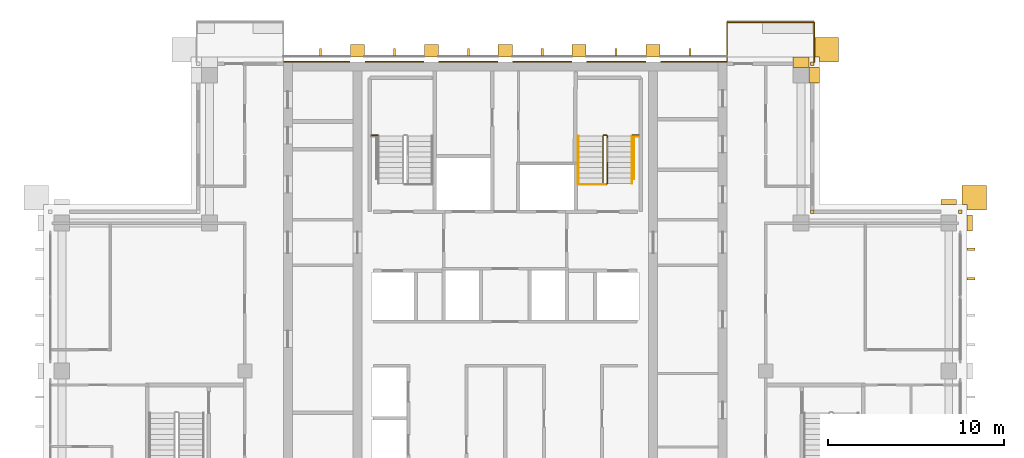
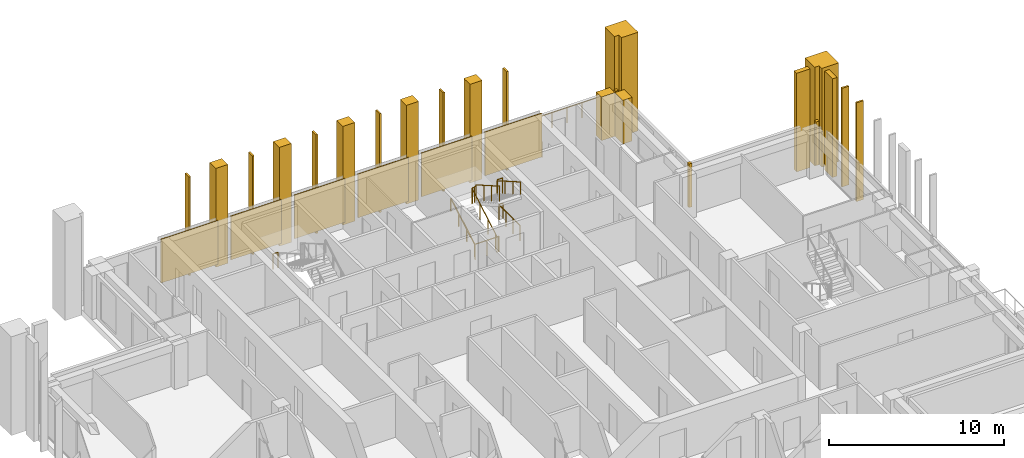
# One storey, part 18 of 18: 28 coverings, 8 railings.
"""IFC4 building model written with IfcOpenShell, lengths in metres."""

from ifc_helpers import new_model, si_unit, direction, frame, origin, origin_2d, place, context, subcontext, project, spatial, polyline, rectangle, outline, extrude, material, layer, layer_set, type_object, element, save


model = new_model("IFC4")

# Units and contexts
model_context = context("Model", 3, precision=1e-05, world=origin(), true_north=direction((0.0, 1.0)))
body_context = subcontext(model_context, "Body", "Model", "MODEL_VIEW")
ifc_project = project(units=[si_unit("LENGTHUNIT", "METRE"), si_unit("AREAUNIT", "SQUARE_METRE"), si_unit("VOLUMEUNIT", "CUBIC_METRE"), si_unit("PLANEANGLEUNIT", "RADIAN"), si_unit("MASSUNIT", "GRAM", prefix="KILO")], contexts=[model_context])

# Site, building, storey
site_placement = place(None, origin())
site = spatial("IfcSite", under=ifc_project, at=site_placement, CompositionType="ELEMENT")
building_placement = place(site_placement, origin())
building = spatial("IfcBuilding", under=site, at=building_placement, Name="Vermilion Ogive Tower", CompositionType="ELEMENT")
storey_placement = place(building_placement, frame((0.0, 0.0, 254.5)))
storey = spatial("IfcBuildingStorey", under=building, at=storey_placement, Name="L67", CompositionType="ELEMENT", Elevation=254.5)

# Railing
ifc_material_1 = material(Name="Stainless steel and glass", Category="steel")
railing_type_1 = type_object("IfcRailingType", Name="Balcony guard", PredefinedType="GUARDRAIL", material=ifc_material_1)
railing_1_placement = place(storey_placement, frame((17.550048828125, 21.75, -0.0400390625)))
element("IfcRailing", 1, at=railing_1_placement, inside=storey, type_object=railing_type_1, Name="Guard N101", PredefinedType="GUARDRAIL", context=body_context, shape_type="SweptSolid", body=[
    extrude(rectangle(XDim=0.048095703125, YDim=0.048095703125, at=origin_2d()), frame((0.0, 0.0, 1.076171875), z_axis=(0.0, 1.0, 0.0), x_axis=(-1.0, 0.0, 0.0)), (0.0, 0.0, 1.0), 2.270751953125),
    extrude(rectangle(XDim=0.048095703125, YDim=0.048095703125, at=origin_2d()), frame((0.0, 2.270751953125, 1.076171875), z_axis=(-1.0, 0.0, 0.0), x_axis=(0.0, -1.0, 0.0)), (0.0, 0.0, 1.0), 4.949951171875),
    extrude(rectangle(XDim=0.048095703125, YDim=0.048095703125, at=origin_2d()), frame((-4.949951171875, 2.270751953125, 1.076171875), z_axis=(0.0, -1.0, 0.0), x_axis=(1.0, 0.0, 0.0)), (0.0, 0.0, 1.0), 2.270751953125),
    extrude(rectangle(XDim=0.0419921875, YDim=0.0419921875, at=origin_2d()), origin(), (0.0, 0.0, 1.0), 1.052001953125),
    extrude(rectangle(XDim=0.0419921875, YDim=0.0419921875, at=origin_2d()), frame((0.0, 1.13525390625, 0.0)), (0.0, 0.0, 1.0), 1.052001953125),
    extrude(rectangle(XDim=0.0419921875, YDim=0.0419921875, at=origin_2d()), frame((0.0, 2.270751953125, 0.0)), (0.0, 0.0, 1.0), 1.052001953125),
    extrude(rectangle(XDim=0.0419921875, YDim=0.0419921875, at=origin_2d()), frame((-0.989990234375, 2.270751953125, 0.0)), (0.0, 0.0, 1.0), 1.052001953125),
    extrude(rectangle(XDim=0.0419921875, YDim=0.0419921875, at=origin_2d()), frame((-1.97998046875, 2.270751953125, 0.0)), (0.0, 0.0, 1.0), 1.052001953125),
    extrude(rectangle(XDim=0.0419921875, YDim=0.0419921875, at=origin_2d()), frame((-2.969970703125, 2.270751953125, 0.0)), (0.0, 0.0, 1.0), 1.052001953125),
    extrude(rectangle(XDim=0.0419921875, YDim=0.0419921875, at=origin_2d()), frame((-3.9599609375, 2.270751953125, 0.0)), (0.0, 0.0, 1.0), 1.052001953125),
    extrude(rectangle(XDim=0.0419921875, YDim=0.0419921875, at=origin_2d()), frame((-4.949951171875, 2.270751953125, 0.0)), (0.0, 0.0, 1.0), 1.052001953125),
    extrude(rectangle(XDim=0.0419921875, YDim=0.0419921875, at=origin_2d()), frame((-4.949951171875, 1.13525390625, 0.0)), (0.0, 0.0, 1.0), 1.052001953125),
    extrude(rectangle(XDim=0.0419921875, YDim=0.0419921875, at=origin_2d()), frame((-4.949951171875, 0.0, 0.0)), (0.0, 0.0, 1.0), 1.052001953125),
])

# Coverings
ifc_material_2 = material(Name="Glazed ceramic screen")
ifc_layer = layer(ifc_material_2, 0.14990234375)
ifc_layer_set = layer_set([ifc_layer], Name="Ceramic solar screen fin")
covering_type_1 = type_object("IfcCoveringType", Name="Ceramic solar screen fin", PredefinedType="CLADDING", material=ifc_layer_set)
covering_1_placement = place(storey_placement, frame((0.0, 0.0, -0.39990234375)))
element("IfcCovering", 2, at=covering_1_placement, inside=storey, type_object=covering_type_1, Name="Solar screen blade E021", PredefinedType="CLADDING", context=body_context, shape_type="SweptSolid", body=[
    extrude(outline(polyline([(26.699951171875, 9.37744140625), (26.699951171875, 9.49755859375), (26.25, 9.49755859375), (26.25, 9.37744140625), (26.699951171875, 9.37744140625)])), origin(), (0.0, 0.0, 1.0), 6.89990234375),
])
covering_2_placement = place(storey_placement, frame((0.0, 0.0, -0.39990234375)))
element("IfcCovering", 3, at=covering_2_placement, inside=storey, type_object=covering_type_1, Name="Solar screen blade E022", PredefinedType="CLADDING", context=body_context, shape_type="SweptSolid", body=[
    extrude(outline(polyline([(26.699951171875, 11.052490234375), (26.699951171875, 11.172607421875), (26.25, 11.172607421875), (26.25, 11.052490234375), (26.699951171875, 11.052490234375)])), origin(), (0.0, 0.0, 1.0), 6.89990234375),
])
covering_3_placement = place(storey_placement, frame((0.0, 0.0, -0.39990234375)))
element("IfcCovering", 4, at=covering_3_placement, inside=storey, type_object=covering_type_1, Name="Solar screen blade N1", PredefinedType="CLADDING", context=body_context, shape_type="SweptSolid", body=[
    extrude(outline(polyline([(-10.56005859375, 22.08203125), (-10.43994140625, 22.08203125), (-10.43994140625, 22.531982421875), (-10.56005859375, 22.531982421875), (-10.56005859375, 22.08203125)])), origin(), (0.0, 0.0, 1.0), 6.89990234375),
])
covering_4_placement = place(storey_placement, frame((0.0, 0.0, -0.39990234375)))
element("IfcCovering", 5, at=covering_4_placement, inside=storey, type_object=covering_type_1, Name="Solar screen blade N2", PredefinedType="CLADDING", context=body_context, shape_type="SweptSolid", body=[
    extrude(outline(polyline([(-6.360107421875, 22.08203125), (-6.239990234375, 22.08203125), (-6.239990234375, 22.531982421875), (-6.360107421875, 22.531982421875), (-6.360107421875, 22.08203125)])), origin(), (0.0, 0.0, 1.0), 6.89990234375),
])
covering_5_placement = place(storey_placement, frame((0.0, 0.0, -0.39990234375)))
element("IfcCovering", 6, at=covering_5_placement, inside=storey, type_object=covering_type_1, Name="Solar screen blade N3", PredefinedType="CLADDING", context=body_context, shape_type="SweptSolid", body=[
    extrude(outline(polyline([(-2.159912109375, 22.08203125), (-2.0400390625, 22.08203125), (-2.0400390625, 22.531982421875), (-2.159912109375, 22.531982421875), (-2.159912109375, 22.08203125)])), origin(), (0.0, 0.0, 1.0), 6.89990234375),
])
covering_6_placement = place(storey_placement, frame((0.0, 0.0, -0.39990234375)))
element("IfcCovering", 7, at=covering_6_placement, inside=storey, type_object=covering_type_1, Name="Solar screen blade N4", PredefinedType="CLADDING", context=body_context, shape_type="SweptSolid", body=[
    extrude(outline(polyline([(2.0400390625, 22.08203125), (2.159912109375, 22.08203125), (2.159912109375, 22.531982421875), (2.0400390625, 22.531982421875), (2.0400390625, 22.08203125)])), origin(), (0.0, 0.0, 1.0), 6.89990234375),
])
covering_7_placement = place(storey_placement, frame((0.0, 0.0, -0.39990234375)))
element("IfcCovering", 8, at=covering_7_placement, inside=storey, type_object=covering_type_1, Name="Solar screen blade N5", PredefinedType="CLADDING", context=body_context, shape_type="SweptSolid", body=[
    extrude(outline(polyline([(6.239990234375, 22.08203125), (6.360107421875, 22.08203125), (6.360107421875, 22.531982421875), (6.239990234375, 22.531982421875), (6.239990234375, 22.08203125)])), origin(), (0.0, 0.0, 1.0), 6.89990234375),
])
covering_8_placement = place(storey_placement, frame((0.0, 0.0, -0.39990234375)))
element("IfcCovering", 9, at=covering_8_placement, inside=storey, type_object=covering_type_1, Name="Solar screen blade N6", PredefinedType="CLADDING", context=body_context, shape_type="SweptSolid", body=[
    extrude(outline(polyline([(10.43994140625, 22.08203125), (10.56005859375, 22.08203125), (10.56005859375, 22.531982421875), (10.43994140625, 22.531982421875), (10.43994140625, 22.08203125)])), origin(), (0.0, 0.0, 1.0), 6.89990234375),
])

# Railings
ifc_material_3 = material(Name="Steel S355 painted", Category="steel")
railing_type_2 = type_object("IfcRailingType", Name="Stair guard 1100", PredefinedType="GUARDRAIL", material=ifc_material_3)
railing_2_placement = place(storey_placement, frame((5.75, 14.800048828125, 0.0)))
element("IfcRailing", 10, at=railing_2_placement, inside=storey, type_object=railing_type_2, Name="L67 ST2 stair guard 4", PredefinedType="GUARDRAIL", context=body_context, shape_type="SweptSolid", body=[
    extrude(rectangle(XDim=0.048095703125, YDim=0.048095703125, at=origin_2d()), frame((0.0, 0.0, 1.076171875), z_axis=(-1.0, 0.0, 0.0), x_axis=(0.0, -1.0, 0.0)), (0.0, 0.0, 1.0), 0.14990234375),
    extrude(rectangle(XDim=0.048095703125, YDim=0.048095703125, at=origin_2d()), frame((-0.14990234375, 0.0, 1.076171875), z_axis=(-0.268277960024, 0.268277960024, 0.925231793839), x_axis=(-0.707106781187, -0.707106781187, 0.0)), (0.0, 0.0, 1.0), 0.1865234375),
    extrude(rectangle(XDim=0.048095703125, YDim=0.048095703125, at=origin_2d()), frame((-0.199951171875, 0.050048828125, 1.24853515625), z_axis=(0.0, 0.866903762492, 0.498475542607), x_axis=(-1.0, 0.0, 0.0)), (0.0, 0.0, 1.0), 3.114501953125),
    extrude(rectangle(XDim=0.048095703125, YDim=0.048095703125, at=origin_2d()), frame((-0.199951171875, 2.75, 2.80126953125), z_axis=(0.707106781187, 0.707106781187, 0.0), x_axis=(-0.707106781187, 0.707106781187, 0.0)), (0.0, 0.0, 1.0), 0.07080078125),
    extrude(rectangle(XDim=0.048095703125, YDim=0.048095703125, at=origin_2d()), frame((-0.14990234375, 2.800048828125, 2.80126953125), z_axis=(1.0, 0.0, 0.0), x_axis=(0.0, 1.0, 0.0)), (0.0, 0.0, 1.0), 0.14990234375),
    extrude(rectangle(XDim=0.048095703125, YDim=0.048095703125, at=origin_2d()), frame((0.0, 2.800048828125, 2.80126953125), z_axis=(0.268603158521, -0.268603158521, 0.925043072762), x_axis=(0.707106781187, 0.707106781187, 0.0)), (0.0, 0.0, 1.0), 0.186279296875),
    extrude(rectangle(XDim=0.048095703125, YDim=0.048095703125, at=origin_2d()), frame((0.050048828125, 2.75, 2.9736328125), z_axis=(0.0, -0.866903762492, 0.498475542607), x_axis=(1.0, 0.0, 0.0)), (0.0, 0.0, 1.0), 3.114501953125),
    extrude(rectangle(XDim=0.0419921875, YDim=0.0419921875, at=origin_2d()), origin(), (0.0, 0.0, 1.0), 1.052001953125),
    extrude(rectangle(XDim=0.0419921875, YDim=0.0419921875, at=origin_2d()), frame((-0.14990234375, 0.0, 0.0)), (0.0, 0.0, 1.0), 1.052001953125),
    extrude(rectangle(XDim=0.0419921875, YDim=0.0419921875, at=origin_2d()), frame((-0.199951171875, 0.050048828125, 0.172607421875)), (0.0, 0.0, 1.0), 1.052001953125),
    extrude(rectangle(XDim=0.0419921875, YDim=0.0419921875, at=origin_2d()), frame((-0.199951171875, 0.949951171875, 0.690185546875)), (0.0, 0.0, 1.0), 1.052001953125),
    extrude(rectangle(XDim=0.0419921875, YDim=0.0419921875, at=origin_2d()), frame((-0.199951171875, 1.85009765625, 1.20751953125)), (0.0, 0.0, 1.0), 1.052001953125),
    extrude(rectangle(XDim=0.0419921875, YDim=0.0419921875, at=origin_2d()), frame((-0.199951171875, 2.75, 1.72509765625)), (0.0, 0.0, 1.0), 1.052001953125),
    extrude(rectangle(XDim=0.0419921875, YDim=0.0419921875, at=origin_2d()), frame((-0.14990234375, 2.800048828125, 1.72509765625)), (0.0, 0.0, 1.0), 1.052001953125),
    extrude(rectangle(XDim=0.0419921875, YDim=0.0419921875, at=origin_2d()), frame((0.0, 2.800048828125, 1.72509765625)), (0.0, 0.0, 1.0), 1.052001953125),
    extrude(rectangle(XDim=0.0419921875, YDim=0.0419921875, at=origin_2d()), frame((0.050048828125, 2.75, 1.8974609375)), (0.0, 0.0, 1.0), 1.052001953125),
    extrude(rectangle(XDim=0.0419921875, YDim=0.0419921875, at=origin_2d()), frame((0.050048828125, 1.85009765625, 2.4150390625)), (0.0, 0.0, 1.0), 1.052001953125),
    extrude(rectangle(XDim=0.0419921875, YDim=0.0419921875, at=origin_2d()), frame((0.050048828125, 0.949951171875, 2.932373046875)), (0.0, 0.0, 1.0), 1.052001953125),
    extrude(rectangle(XDim=0.0419921875, YDim=0.0419921875, at=origin_2d()), frame((0.050048828125, 0.050048828125, 3.449951171875)), (0.0, 0.0, 1.0), 1.052001953125),
])
for number, where, name in (
    (11, (-7.60009765625, 17.60009765625, 1.72509765625), "L67 landing guard"),
    (12, (7.25, 17.60009765625, 1.72509765625), "L67 landing guard"),
):
    element("IfcRailing", number, at=place(storey_placement, frame(where)), inside=storey, type_object=railing_type_2, Name=name, PredefinedType="GUARDRAIL", context=body_context, shape_type="SweptSolid", body=[
        extrude(rectangle(XDim=0.048095703125, YDim=0.048095703125, at=origin_2d()), frame((0.0, 0.0, 1.076171875), z_axis=(1.0, 0.0, 0.0), x_axis=(0.0, 1.0, 0.0)), (0.0, 0.0, 1.0), 0.35009765625),
        extrude(rectangle(XDim=0.0419921875, YDim=0.0419921875, at=origin_2d()), origin(), (0.0, 0.0, 1.0), 1.052001953125),
        extrude(rectangle(XDim=0.0419921875, YDim=0.0419921875, at=origin_2d()), frame((0.35009765625, 0.0, 0.0)), (0.0, 0.0, 1.0), 1.052001953125),
    ])
railing_3_placement = place(storey_placement, frame((7.599609375, 17.54296875, 0.0)))
element("IfcRailing", 13, at=railing_3_placement, inside=storey, type_object=railing_type_2, Name="L67 stair opening guard", PredefinedType="GUARDRAIL", context=body_context, shape_type="SweptSolid", body=[
    extrude(rectangle(XDim=0.048095703125, YDim=0.048095703125, at=origin_2d()), frame((0.0, 0.0, 1.076171875), z_axis=(-1.0, 0.0, 0.0), x_axis=(0.0, -1.0, 0.0)), (0.0, 0.0, 1.0), 0.2900390625),
    extrude(rectangle(XDim=0.048095703125, YDim=0.048095703125, at=origin_2d()), frame((-0.2900390625, 0.0, 1.076171875), z_axis=(0.0, -1.0, 0.0), x_axis=(1.0, 0.0, 0.0)), (0.0, 0.0, 1.0), 2.42431640625),
    extrude(rectangle(XDim=0.0419921875, YDim=0.0419921875, at=origin_2d()), origin(), (0.0, 0.0, 1.0), 1.052001953125),
    extrude(rectangle(XDim=0.0419921875, YDim=0.0419921875, at=origin_2d()), frame((-0.2900390625, 0.0, 0.0)), (0.0, 0.0, 1.0), 1.052001953125),
    extrude(rectangle(XDim=0.0419921875, YDim=0.0419921875, at=origin_2d()), frame((-0.2900390625, -0.80810546875, 0.0)), (0.0, 0.0, 1.0), 1.052001953125),
    extrude(rectangle(XDim=0.0419921875, YDim=0.0419921875, at=origin_2d()), frame((-0.2900390625, -1.6162109375, 0.0)), (0.0, 0.0, 1.0), 1.052001953125),
    extrude(rectangle(XDim=0.0419921875, YDim=0.0419921875, at=origin_2d()), frame((-0.2900390625, -2.42431640625, 0.0)), (0.0, 0.0, 1.0), 1.052001953125),
])
railing_4_placement = place(storey_placement, frame((5.699951171875, 14.7900390625, 0.0)))
element("IfcRailing", 14, at=railing_4_placement, inside=storey, type_object=railing_type_2, Name="L67 stair opening guard", PredefinedType="GUARDRAIL", context=body_context, shape_type="SweptSolid", body=[
    extrude(rectangle(XDim=0.048095703125, YDim=0.048095703125, at=origin_2d()), frame((0.0, 0.0, 1.076171875), z_axis=(-1.0, 0.0, 0.0), x_axis=(0.0, -1.0, 0.0)), (0.0, 0.0, 1.0), 1.5400390625),
    extrude(rectangle(XDim=0.0419921875, YDim=0.0419921875, at=origin_2d()), origin(), (0.0, 0.0, 1.0), 1.052001953125),
    extrude(rectangle(XDim=0.0419921875, YDim=0.0419921875, at=origin_2d()), frame((-0.77001953125, 0.0, 0.0)), (0.0, 0.0, 1.0), 1.052001953125),
    extrude(rectangle(XDim=0.0419921875, YDim=0.0419921875, at=origin_2d()), frame((-1.5400390625, 0.0, 0.0)), (0.0, 0.0, 1.0), 1.052001953125),
])
ifc_material_4 = material(Name="Stainless steel", Category="steel")
railing_type_3 = type_object("IfcRailingType", Name="Stair handrail 900", PredefinedType="HANDRAIL", material=ifc_material_4)
railing_5_placement = place(storey_placement, frame((4.14990234375, 14.85009765625, 0.172607421875)))
element("IfcRailing", 15, at=railing_5_placement, inside=storey, type_object=railing_type_3, Name="L67 ST2 stair handrail 1", PredefinedType="HANDRAIL", context=body_context, shape_type="SweptSolid", body=[
    extrude(rectangle(XDim=0.048095703125, YDim=0.048095703125, at=origin_2d()), frame((0.0, 0.0, 0.8759765625), z_axis=(0.0, 0.866903762492, 0.498475542607), x_axis=(-1.0, 0.0, 0.0)), (0.0, 0.0, 1.0), 3.114501953125),
    extrude(rectangle(XDim=0.0419921875, YDim=0.0419921875, at=origin_2d()), origin(), (0.0, 0.0, 1.0), 0.851806640625),
    extrude(rectangle(XDim=0.0419921875, YDim=0.0419921875, at=origin_2d()), frame((0.0, 0.89990234375, 0.517578125)), (0.0, 0.0, 1.0), 0.851806640625),
    extrude(rectangle(XDim=0.0419921875, YDim=0.0419921875, at=origin_2d()), frame((0.0, 1.800048828125, 1.034912109375)), (0.0, 0.0, 1.0), 0.851806640625),
    extrude(rectangle(XDim=0.0419921875, YDim=0.0419921875, at=origin_2d()), frame((0.0, 2.699951171875, 1.552490234375)), (0.0, 0.0, 1.0), 0.851806640625),
])
railing_6_placement = place(storey_placement, frame((7.199951171875, 17.550048828125, 1.8974609375)))
element("IfcRailing", 16, at=railing_6_placement, inside=storey, type_object=railing_type_3, Name="L67 ST2 stair handrail 2", PredefinedType="HANDRAIL", context=body_context, shape_type="SweptSolid", body=[
    extrude(rectangle(XDim=0.048095703125, YDim=0.048095703125, at=origin_2d()), frame((0.0, 0.0, 0.8759765625), z_axis=(0.0, -0.866903762492, 0.498475542607), x_axis=(1.0, 0.0, 0.0)), (0.0, 0.0, 1.0), 3.114501953125),
    extrude(rectangle(XDim=0.0419921875, YDim=0.0419921875, at=origin_2d()), origin(), (0.0, 0.0, 1.0), 0.851806640625),
    extrude(rectangle(XDim=0.0419921875, YDim=0.0419921875, at=origin_2d()), frame((0.0, -0.89990234375, 0.517578125)), (0.0, 0.0, 1.0), 0.851806640625),
    extrude(rectangle(XDim=0.0419921875, YDim=0.0419921875, at=origin_2d()), frame((0.0, -1.800048828125, 1.034912109375)), (0.0, 0.0, 1.0), 0.851806640625),
    extrude(rectangle(XDim=0.0419921875, YDim=0.0419921875, at=origin_2d()), frame((0.0, -2.699951171875, 1.552490234375)), (0.0, 0.0, 1.0), 0.851806640625),
])

# Coverings
ifc_material_5 = material(Name="Stone cladding", Category="masonry")
covering_type_2 = type_object("IfcCoveringType", Name="Stone buttress pier", PredefinedType="CLADDING", material=ifc_material_5)
covering_9_placement = place(storey_placement, frame((0.0, 0.0, -0.39990234375)))
element("IfcCovering", 17, at=covering_9_placement, inside=storey, type_object=covering_type_2, Name="Stone buttress pier N1", PredefinedType="CLADDING", context=body_context, shape_type="SweptSolid", body=[
    extrude(outline(polyline([(-8.0, 22.75), (-8.0, 22.050048828125), (-8.800048828125, 22.050048828125), (-8.800048828125, 22.75), (-8.0, 22.75)])), origin(), (0.0, 0.0, 1.0), 6.89990234375),
])
covering_10_placement = place(storey_placement, frame((0.0, 0.0, -0.39990234375)))
element("IfcCovering", 18, at=covering_10_placement, inside=storey, type_object=covering_type_2, Name="Stone buttress pier N2", PredefinedType="CLADDING", context=body_context, shape_type="SweptSolid", body=[
    extrude(outline(polyline([(-3.800048828125, 22.75), (-3.800048828125, 22.050048828125), (-4.60009765625, 22.050048828125), (-4.60009765625, 22.75), (-3.800048828125, 22.75)])), origin(), (0.0, 0.0, 1.0), 6.89990234375),
])
covering_11_placement = place(storey_placement, frame((0.0, 0.0, -0.39990234375)))
element("IfcCovering", 19, at=covering_11_placement, inside=storey, type_object=covering_type_2, Name="Stone buttress pier N3", PredefinedType="CLADDING", context=body_context, shape_type="SweptSolid", body=[
    extrude(outline(polyline([(0.39990234375, 22.75), (0.39990234375, 22.050048828125), (-0.39990234375, 22.050048828125), (-0.39990234375, 22.75), (0.39990234375, 22.75)])), origin(), (0.0, 0.0, 1.0), 6.89990234375),
])
covering_12_placement = place(storey_placement, frame((0.0, 0.0, -0.39990234375)))
element("IfcCovering", 20, at=covering_12_placement, inside=storey, type_object=covering_type_2, Name="Stone buttress pier N4", PredefinedType="CLADDING", context=body_context, shape_type="SweptSolid", body=[
    extrude(outline(polyline([(4.60009765625, 22.75), (4.60009765625, 22.050048828125), (3.800048828125, 22.050048828125), (3.800048828125, 22.75), (4.60009765625, 22.75)])), origin(), (0.0, 0.0, 1.0), 6.89990234375),
])
covering_13_placement = place(storey_placement, frame((0.0, 0.0, -0.39990234375)))
element("IfcCovering", 21, at=covering_13_placement, inside=storey, type_object=covering_type_2, Name="Stone buttress pier N5", PredefinedType="CLADDING", context=body_context, shape_type="SweptSolid", body=[
    extrude(outline(polyline([(8.800048828125, 22.75), (8.800048828125, 22.050048828125), (8.0, 22.050048828125), (8.0, 22.75), (8.800048828125, 22.75)])), origin(), (0.0, 0.0, 1.0), 6.89990234375),
])
ifc_material_6 = material(Name="Stone cladding", Category="masonry")
covering_type_3 = type_object("IfcCoveringType", Name="Stone cladding panel", PredefinedType="CLADDING", material=ifc_material_6)
covering_14_placement = place(storey_placement, origin())
element("IfcCovering", 22, at=covering_14_placement, inside=storey, type_object=covering_type_3, Name="Stone cladding panel N1", PredefinedType="CLADDING", context=body_context, shape_type="SweptSolid", body=[
    extrude(outline(polyline([(-12.590087890625, 21.75), (-8.830078125, 21.75), (-8.830078125, 21.81005859375), (-12.590087890625, 21.81005859375), (-12.590087890625, 21.75)])), origin(), (0.0, 0.0, 1.0), 3.050048828125),
])
covering_15_placement = place(storey_placement, origin())
element("IfcCovering", 23, at=covering_15_placement, inside=storey, type_object=covering_type_3, Name="Stone cladding panel N2", PredefinedType="CLADDING", context=body_context, shape_type="SweptSolid", body=[
    extrude(outline(polyline([(-7.969970703125, 21.75), (-4.6298828125, 21.75), (-4.6298828125, 21.81005859375), (-7.969970703125, 21.81005859375), (-7.969970703125, 21.75)])), origin(), (0.0, 0.0, 1.0), 3.050048828125),
])
covering_16_placement = place(storey_placement, origin())
element("IfcCovering", 24, at=covering_16_placement, inside=storey, type_object=covering_type_3, Name="Stone cladding panel N3", PredefinedType="CLADDING", context=body_context, shape_type="SweptSolid", body=[
    extrude(outline(polyline([(-3.77001953125, 21.75), (-0.429931640625, 21.75), (-0.429931640625, 21.81005859375), (-3.77001953125, 21.81005859375), (-3.77001953125, 21.75)])), origin(), (0.0, 0.0, 1.0), 3.050048828125),
])
covering_17_placement = place(storey_placement, origin())
element("IfcCovering", 25, at=covering_17_placement, inside=storey, type_object=covering_type_3, Name="Stone cladding panel N4", PredefinedType="CLADDING", context=body_context, shape_type="SweptSolid", body=[
    extrude(outline(polyline([(0.429931640625, 21.75), (3.77001953125, 21.75), (3.77001953125, 21.81005859375), (0.429931640625, 21.81005859375), (0.429931640625, 21.75)])), origin(), (0.0, 0.0, 1.0), 3.050048828125),
])
covering_18_placement = place(storey_placement, origin())
element("IfcCovering", 26, at=covering_18_placement, inside=storey, type_object=covering_type_3, Name="Stone cladding panel N5", PredefinedType="CLADDING", context=body_context, shape_type="SweptSolid", body=[
    extrude(outline(polyline([(4.6298828125, 21.75), (7.969970703125, 21.75), (7.969970703125, 21.81005859375), (4.6298828125, 21.81005859375), (4.6298828125, 21.75)])), origin(), (0.0, 0.0, 1.0), 3.050048828125),
])
covering_19_placement = place(storey_placement, origin())
element("IfcCovering", 27, at=covering_19_placement, inside=storey, type_object=covering_type_3, Name="Stone cladding panel N6", PredefinedType="CLADDING", context=body_context, shape_type="SweptSolid", body=[
    extrude(outline(polyline([(8.830078125, 21.75), (12.590087890625, 21.75), (12.590087890625, 21.81005859375), (8.830078125, 21.81005859375), (8.830078125, 21.75)])), origin(), (0.0, 0.0, 1.0), 3.050048828125),
])
ifc_material_7 = material(Name="Stone cladding", Category="masonry")
covering_type_4 = type_object("IfcCoveringType", Name="Stone corner buttress", PredefinedType="CLADDING", material=ifc_material_7)
covering_20_placement = place(storey_placement, frame((0.0, 0.0, -0.39990234375)))
element("IfcCovering", 28, at=covering_20_placement, inside=storey, type_object=covering_type_4, Name="Stone corner buttress X31", PredefinedType="CLADDING", context=body_context, shape_type="SweptSolid", body=[
    extrude(outline(polyline([(26.25, 13.35009765625), (26.25, 13.64990234375), (25.949951171875, 13.64990234375), (25.949951171875, 14.75), (27.35009765625, 14.75), (27.35009765625, 13.35009765625), (26.25, 13.35009765625)])), origin(), (0.0, 0.0, 1.0), 6.89990234375),
])
covering_21_placement = place(storey_placement, frame((0.0, 0.0, -0.39990234375)))
element("IfcCovering", 29, at=covering_21_placement, inside=storey, type_object=covering_type_4, Name="Stone corner buttress N11", PredefinedType="CLADDING", context=body_context, shape_type="SweptSolid", body=[
    extrude(outline(polyline([(17.85009765625, 22.050048828125), (17.550048828125, 22.050048828125), (17.550048828125, 23.14990234375), (18.949951171875, 23.14990234375), (18.949951171875, 21.75), (17.85009765625, 21.75), (17.85009765625, 22.050048828125)])), origin(), (0.0, 0.0, 1.0), 6.89990234375),
])
ifc_material_8 = material(Name="Stone cladding", Category="masonry")
covering_type_5 = type_object("IfcCoveringType", Name="Stone pier", PredefinedType="CLADDING", material=ifc_material_8)
covering_22_placement = place(storey_placement, origin())
element("IfcCovering", 30, at=covering_22_placement, inside=storey, type_object=covering_type_5, Name="Stone corner pier EE1", PredefinedType="CLADDING", context=body_context, shape_type="SweptSolid", body=[
    extrude(outline(polyline([(25.75, 13.14990234375), (25.75, 13.35009765625), (25.949951171875, 13.35009765625), (25.949951171875, 13.14990234375), (25.75, 13.14990234375)])), origin(), (0.0, 0.0, 1.0), 3.050048828125),
])
covering_23_placement = place(storey_placement, origin())
element("IfcCovering", 31, at=covering_23_placement, inside=storey, type_object=covering_type_5, Name="Stone corner pier X3E1", PredefinedType="CLADDING", context=body_context, shape_type="SweptSolid", body=[
    extrude(outline(polyline([(17.35009765625, 13.14990234375), (17.35009765625, 13.35009765625), (17.550048828125, 13.35009765625), (17.550048828125, 13.14990234375), (17.35009765625, 13.14990234375)])), origin(), (0.0, 0.0, 1.0), 3.050048828125),
])
covering_24_placement = place(storey_placement, origin())
element("IfcCovering", 32, at=covering_24_placement, inside=storey, type_object=covering_type_5, Name="Stone corner pier X4E1", PredefinedType="CLADDING", context=body_context, shape_type="SweptSolid", body=[
    extrude(outline(polyline([(17.35009765625, 21.550048828125), (17.35009765625, 21.75), (17.550048828125, 21.75), (17.550048828125, 21.550048828125), (17.35009765625, 21.550048828125)])), origin(), (0.0, 0.0, 1.0), 3.050048828125),
])
covering_25_placement = place(storey_placement, frame((0.0, 0.0, -0.39990234375)))
element("IfcCovering", 33, at=covering_25_placement, inside=storey, type_object=covering_type_5, Name="Stone pier P+0252+126E", PredefinedType="CLADDING", context=body_context, shape_type="SweptSolid", body=[
    extrude(outline(polyline([(26.550048828125, 13.050048828125), (26.550048828125, 12.14990234375), (26.25, 12.14990234375), (26.25, 13.050048828125), (26.550048828125, 13.050048828125)])), origin(), (0.0, 0.0, 1.0), 6.89990234375),
])
covering_26_placement = place(storey_placement, frame((0.0, 0.0, -0.39990234375)))
element("IfcCovering", 34, at=covering_26_placement, inside=storey, type_object=covering_type_5, Name="Stone pier P+0252+126X3", PredefinedType="CLADDING", context=body_context, shape_type="SweptSolid", body=[
    extrude(outline(polyline([(25.64990234375, 13.949951171875), (25.64990234375, 13.64990234375), (24.75, 13.64990234375), (24.75, 13.949951171875), (25.64990234375, 13.949951171875)])), origin(), (0.0, 0.0, 1.0), 6.89990234375),
])
covering_27_placement = place(storey_placement, origin())
element("IfcCovering", 35, at=covering_27_placement, inside=storey, type_object=covering_type_5, Name="Stone pier P+0168+210X4", PredefinedType="CLADDING", context=body_context, shape_type="SweptSolid", body=[
    extrude(outline(polyline([(17.85009765625, 21.449951171875), (17.85009765625, 20.550048828125), (17.25, 20.550048828125), (17.25, 21.449951171875), (17.85009765625, 21.449951171875)])), origin(), (0.0, 0.0, 1.0), 3.050048828125),
])
covering_28_placement = place(storey_placement, origin())
element("IfcCovering", 36, at=covering_28_placement, inside=storey, type_object=covering_type_5, Name="Stone pier P+0168+210N1", PredefinedType="CLADDING", context=body_context, shape_type="SweptSolid", body=[
    extrude(outline(polyline([(17.25, 22.050048828125), (17.25, 21.449951171875), (16.35009765625, 21.449951171875), (16.35009765625, 22.050048828125), (17.25, 22.050048828125)])), origin(), (0.0, 0.0, 1.0), 3.050048828125),
])

save(model, "model.ifc")
